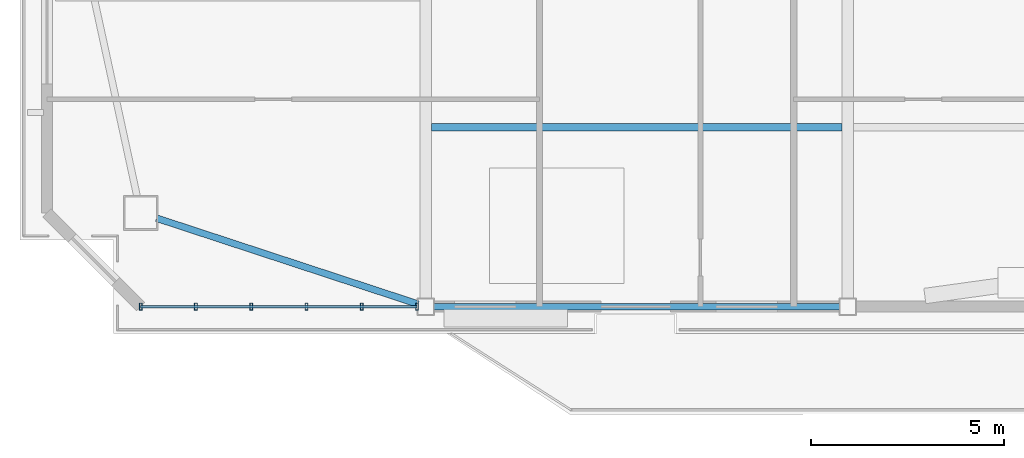
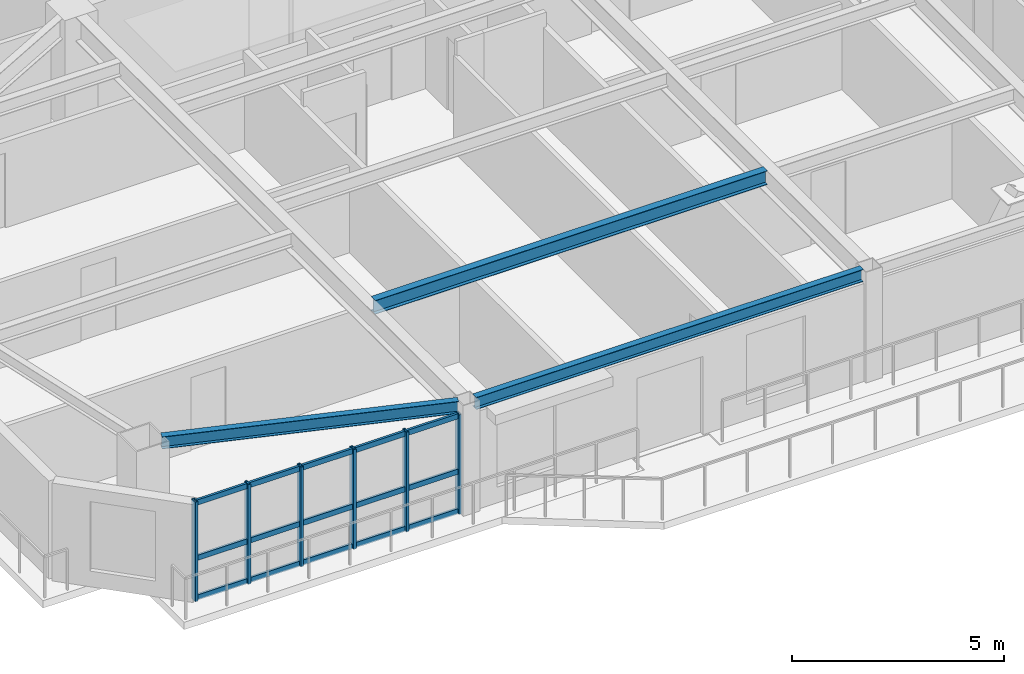
# One storey, part 2 of 15: 9 members, 3 beams, 1 element without a shape of its own.
"""IFC4 building model written with IfcOpenShell, lengths in metres."""

import ifcopenshell
import ifcopenshell.guid

model = None  # the IFC model being written
_history = None  # IfcOwnerHistory: only IFC2X3 demands one
_inside = {}  # id of a spatial element -> (the spatial element, [elements in it])
_under = {}  # id of a project, library or spatial element -> (it, [spatial elements below it])
_declared = {}  # id of a project -> (the project, [libraries it declares])
_typed = {}  # id of a type object -> (the type object, [elements of that type])
_made_of = {}  # id of a material, layer set ... -> (it, [elements and type objects made of it])


def new_model(schema):
    """Start an empty IFC model of exactly this schema.

    Asked for "IFC4X3", IfcOpenShell would pick the latest addendum, in which some entities
    have other attributes; the version numbers below select the first issue.
    IFC2X3 requires an IfcOwnerHistory on every rooted entity: one is made here for all.
    """
    global model, _history
    if schema == "IFC4X3":
        model = ifcopenshell.file(schema_version=(4, 3, 0, 0))
    else:
        model = ifcopenshell.file(schema=schema)
    _inside.clear()
    _under.clear()
    _declared.clear()
    _typed.clear()
    _made_of.clear()
    _history = None
    if model.schema == "IFC2X3":
        org = make("IfcOrganization", Name="unknown")
        user = make(
            "IfcPersonAndOrganization",
            ThePerson=make("IfcPerson", FamilyName="unknown"),
            TheOrganization=org,
        )
        app = make(
            "IfcApplication",
            ApplicationDeveloper=org,
            Version="unknown",
            ApplicationFullName="unknown",
            ApplicationIdentifier="unknown",
        )
        _history = make(
            "IfcOwnerHistory",
            OwningUser=user,
            OwningApplication=app,
            ChangeAction="ADDED",
            CreationDate=0,
        )
    return model


def make(cls, **values):
    """One entity of the class cls with the attributes given. An attribute that is None is left unset."""
    return model.create_entity(
        cls, **{name: value for name, value in values.items() if value is not None}
    )


def rooted(cls, **values):
    """An entity with a GlobalId (a new one), such as an element, a storey or a relation."""
    return make(cls, GlobalId=ifcopenshell.guid.new(), OwnerHistory=_history, **values)


def si_unit(unit_type, name, prefix=None):
    """IfcSIUnit, for example si_unit("LENGTHUNIT", "METRE", prefix="MILLI")."""
    return make("IfcSIUnit", UnitType=unit_type, Prefix=prefix, Name=name)


def assignment(units):
    """IfcUnitAssignment: the units of a project."""
    return None if units is None else make("IfcUnitAssignment", Units=units)


def point(xyz):
    """IfcCartesianPoint."""
    return None if xyz is None else make("IfcCartesianPoint", Coordinates=xyz)


def direction(xyz):
    """IfcDirection."""
    return None if xyz is None else make("IfcDirection", DirectionRatios=xyz)


def frame(location, z_axis=None, x_axis=None):
    """IfcAxis2Placement3D, a coordinate frame: its origin and axes. An axis left out is left unset."""
    return make(
        "IfcAxis2Placement3D",
        Location=point(location),
        Axis=direction(z_axis),
        RefDirection=direction(x_axis),
    )


def frame_2d(location, x_axis=None):
    """IfcAxis2Placement2D, a coordinate frame in the plane: its origin and x axis."""
    return make(
        "IfcAxis2Placement2D", Location=point(location), RefDirection=direction(x_axis)
    )


def origin():
    """The frame at (0, 0, 0) with its axes left unset."""
    return frame((0.0, 0.0, 0.0))


def origin_2d():
    """The frame at (0, 0) in the plane with its x axis left unset."""
    return frame_2d((0.0, 0.0))


def place(relative_to, where):
    """IfcLocalPlacement: puts the frame where relative to a parent placement (None: the world)."""
    return make(
        "IfcLocalPlacement", PlacementRelTo=relative_to, RelativePlacement=where
    )


def context(
    kind, dimensions, precision=None, world=None, true_north=None, identifier=None
):
    """IfcGeometricRepresentationContext, for example the 3D "Model" context."""
    return make(
        "IfcGeometricRepresentationContext",
        ContextIdentifier=identifier,
        ContextType=kind,
        CoordinateSpaceDimension=dimensions,
        Precision=precision,
        WorldCoordinateSystem=world,
        TrueNorth=true_north,
    )


def subcontext(parent, identifier, kind, view, scale=None):
    """IfcGeometricRepresentationSubContext, for example "Body" below "Model"."""
    return make(
        "IfcGeometricRepresentationSubContext",
        ContextIdentifier=identifier,
        ContextType=kind,
        ParentContext=parent,
        TargetScale=scale,
        TargetView=view,
    )


def project(units=None, contexts=None):
    """IfcProject with its units and contexts."""
    return rooted(
        "IfcProject",
        Name="project",
        RepresentationContexts=contexts,
        UnitsInContext=assignment(units),
    )


def spatial(cls, under=None, at=None, **own):
    """A site, building, storey or space (cls), placed at a placement, below another one or the project."""
    s = rooted(cls, ObjectPlacement=at, **own)
    if under is not None:
        _under.setdefault(under.id(), (under, []))[1].append(s)
    return s


def profile(cls, at=None, kind="AREA", **sizes):
    """A parametric profile (cls). Its sizes go by their IFC names, for example OverallWidth=200.0."""
    return make(cls, ProfileType=kind, Position=at, **sizes)


def hollow_rectangle(**sizes):
    """IfcRectangleHollowProfileDef."""
    return profile("IfcRectangleHollowProfileDef", **sizes)


def i_section(**sizes):
    """IfcIShapeProfileDef."""
    return profile("IfcIShapeProfileDef", **sizes)


def extrude(swept, where, along, depth):
    """IfcExtrudedAreaSolid: the profile swept, set in the frame where, extruded along a direction by depth."""
    return make(
        "IfcExtrudedAreaSolid",
        SweptArea=swept,
        Position=where,
        ExtrudedDirection=direction(along),
        Depth=depth,
    )


def shape(context_of_items, identifier, shape_type, items):
    """IfcShapeRepresentation: the items that make up one representation, for example the "Body"."""
    return make(
        "IfcShapeRepresentation",
        ContextOfItems=context_of_items,
        RepresentationIdentifier=identifier,
        RepresentationType=shape_type,
        Items=items,
    )


def source(mapping_origin, context_of_items, identifier, shape_type, items):
    """IfcRepresentationMap: a shape defined once, which mapped items show again and again."""
    return make(
        "IfcRepresentationMap",
        MappingOrigin=mapping_origin,
        MappedRepresentation=shape(context_of_items, identifier, shape_type, items),
    )


def transform(
    local_origin,
    x_axis=None,
    y_axis=None,
    z_axis=None,
    scale=None,
    scale2=None,
    scale3=None,
    uniform=True,
):
    """IfcCartesianTransformationOperator3D, or its non-uniform kind. x_axis, y_axis, z_axis: its Axis1, 2, 3."""
    if uniform:
        return make(
            "IfcCartesianTransformationOperator3D",
            Axis1=direction(x_axis),
            Axis2=direction(y_axis),
            LocalOrigin=point(local_origin),
            Scale=scale,
            Axis3=direction(z_axis),
        )
    return make(
        "IfcCartesianTransformationOperator3DnonUniform",
        Axis1=direction(x_axis),
        Axis2=direction(y_axis),
        LocalOrigin=point(local_origin),
        Scale=scale,
        Axis3=direction(z_axis),
        Scale2=scale2,
        Scale3=scale3,
    )


def mapped(mapping_source, mapping_target):
    """IfcMappedItem: shows the shape of a source again, moved by a transform."""
    return make(
        "IfcMappedItem", MappingSource=mapping_source, MappingTarget=mapping_target
    )


def material(Name=None, Category=None):
    """IfcMaterial."""
    return make("IfcMaterial", Name=Name, Category=Category)


def layer(
    of_material, thickness, ventilated=None, Name=None, Category=None, Priority=None
):
    """IfcMaterialLayer: one layer of a wall or slab, of a material (None: an air gap)."""
    return make(
        "IfcMaterialLayer",
        Material=of_material,
        LayerThickness=thickness,
        IsVentilated=ventilated,
        Name=Name,
        Category=Category,
        Priority=Priority,
    )


def layer_set(layers, Name=None):
    """IfcMaterialLayerSet."""
    return make("IfcMaterialLayerSet", MaterialLayers=layers, LayerSetName=Name)


def material_profile(
    of_material, cross_section, Name=None, Category=None, Priority=None
):
    """IfcMaterialProfile: a cross section and its material."""
    return make(
        "IfcMaterialProfile",
        Name=Name,
        Material=of_material,
        Profile=cross_section,
        Priority=Priority,
        Category=Category,
    )


def profile_set(profiles, Name=None, composite=None):
    """IfcMaterialProfileSet."""
    return make(
        "IfcMaterialProfileSet",
        Name=Name,
        MaterialProfiles=profiles,
        CompositeProfile=composite,
    )


def made_of(thing, what):
    """Note that an element or type object is made of a material, layer set ...; save() writes the relation."""
    if what is not None:
        _made_of.setdefault(what.id(), (what, []))[1].append(thing)
    return thing


def type_object(cls, material=None, **own):
    """A type object (cls), such as IfcWallType, which elements share."""
    return made_of(rooted(cls, **own), material)


def element(
    cls,
    number,
    at=None,
    inside=None,
    cuts=None,
    type_object=None,
    material=None,
    context=None,
    identifier="Body",
    shape_type=None,
    held_by="IfcProductDefinitionShape",
    body=None,
    shapes=None,
    **own,
):
    """One element of the class cls, such as IfcWall. Its Tag is "e" and its number.

    at: its placement. inside: the storey or other place that contains it. cuts: it is an
    opening in that element (IfcRelVoidsElement). A single representation is given by context,
    identifier, shape_type and body (its items); several are given by shapes. held_by: the class
    of the entity that holds the representations. save() writes the other relations.
    """
    e = rooted(cls, Tag="e%d" % number, ObjectPlacement=at, **own)
    if body is not None:
        shapes = [shape(context, identifier, shape_type, body)]
    if shapes is not None:
        e.Representation = make(held_by, Representations=shapes)
    if inside is not None:
        _inside.setdefault(inside.id(), (inside, []))[1].append(e)
    if cuts is not None:
        rooted(
            "IfcRelVoidsElement", RelatingBuildingElement=cuts, RelatedOpeningElement=e
        )
    if type_object is not None:
        _typed.setdefault(type_object.id(), (type_object, []))[1].append(e)
    return made_of(e, material)


def aggregate(whole, parts):
    """IfcRelAggregates: a whole, such as a stair, and the parts it consists of."""
    return rooted("IfcRelAggregates", RelatingObject=whole, RelatedObjects=parts)


def save(model, path):
    """Write the relations noted so far, then the file.

    IfcRelAggregates (storeys below a building ...), IfcRelContainedInSpatialStructure (elements
    in a storey), IfcRelDefinesByType, IfcRelAssociatesMaterial and IfcRelDeclares: one each for
    every whole, place, type object, material and project.
    """
    for whole, parts in _under.values():
        aggregate(whole, parts)
    for where, things in _inside.values():
        rooted(
            "IfcRelContainedInSpatialStructure",
            RelatedElements=things,
            RelatingStructure=where,
        )
    for kind, things in _typed.values():
        rooted("IfcRelDefinesByType", RelatedObjects=things, RelatingType=kind)
    for what, things in _made_of.values():
        rooted("IfcRelAssociatesMaterial", RelatedObjects=things, RelatingMaterial=what)
    for by, libraries in _declared.values():
        rooted("IfcRelDeclares", RelatingContext=by, RelatedDefinitions=libraries)
    model.write(path)


model = new_model("IFC4")

# Units and contexts
model_context = context("Model", 3, precision=1e-05, world=origin(), true_north=direction((0.0, 1.0)))
body_context = subcontext(model_context, "Body", "Model", "MODEL_VIEW")
ifc_project = project(units=[si_unit("LENGTHUNIT", "METRE"), si_unit("AREAUNIT", "SQUARE_METRE"), si_unit("VOLUMEUNIT", "CUBIC_METRE"), si_unit("PLANEANGLEUNIT", "RADIAN"), si_unit("MASSUNIT", "GRAM", prefix="KILO")], contexts=[model_context])

# Site, building, storey
site_placement = place(None, origin())
site = spatial("IfcSite", under=ifc_project, at=site_placement, CompositionType="ELEMENT")
building_placement = place(site_placement, origin())
building = spatial("IfcBuilding", under=site, at=building_placement, Name="Giltprow Tower", CompositionType="ELEMENT")
storey_placement = place(building_placement, frame((0.0, 0.0, 297.199951171875)))
storey = spatial("IfcBuildingStorey", under=building, at=storey_placement, Name="L76", CompositionType="ELEMENT", Elevation=297.199951171875)

# Beams
ifc_material_1 = material(Name="Structural steel Q355B", Category="steel")
ifc_material_profile_1 = material_profile(ifc_material_1, i_section(OverallWidth=0.199951171875, OverallDepth=0.39990234375, WebThickness=0.008056640625, FlangeThickness=0.012939453125, at=origin_2d()), Name="HN 400x200x8x13")
ifc_profile_set_1 = profile_set([ifc_material_profile_1], Name="Structural steel Q355B")
beam_type_1 = type_object("IfcBeamType", Name="BM-JOIST-HN400", PredefinedType="JOIST", material=ifc_profile_set_1)
shared_shape_1 = source(origin(), body_context, "Body", "SweptSolid", [
    extrude(i_section(OverallWidth=0.199951171875, OverallDepth=0.39990234375, WebThickness=0.008056640625, FlangeThickness=0.012939453125, at=origin_2d()), origin(), (0.0, 0.0, 1.0), 10.659912109375),
])
beam_1_placement = place(storey_placement, frame((19.9951171875, 23.492919921875, 2.985107421875), z_axis=(1.0, 0.0, 0.0), x_axis=(0.0, 1.0, 0.0)))
element("IfcBeam", 1, at=beam_1_placement, inside=storey, type_object=beam_type_1, Name="L76 Composite Floor Joist 1-1", PredefinedType="JOIST", context=body_context, shape_type="MappedRepresentation", body=[
    mapped(shared_shape_1, transform((0.0, 0.0, 0.0), x_axis=(1.0, 0.0, 0.0), y_axis=(0.0, 1.0, 0.0), z_axis=(0.0, 0.0, 1.0), scale=1.0)),
])
ifc_material_profile_2 = material_profile(ifc_material_1, i_section(OverallWidth=0.175048828125, OverallDepth=0.35009765625, WebThickness=0.007080078125, FlangeThickness=0.010986328125, at=origin_2d()), Name="HN 350x175x7x11")
ifc_profile_set_2 = profile_set([ifc_material_profile_2], Name="Structural steel Q355B")
beam_type_2 = type_object("IfcBeamType", Name="BM-SPAN-HN350", PredefinedType="SPANDREL", material=ifc_profile_set_2)
shared_shape_2 = source(origin(), body_context, "Body", "SweptSolid", [
    extrude(i_section(OverallWidth=0.175048828125, OverallDepth=0.35009765625, WebThickness=0.007080078125, FlangeThickness=0.010986328125, at=origin_2d()), origin(), (0.0, 0.0, 1.0), 10.530029296875),
])
beam_2_placement = place(storey_placement, frame((20.06005859375, 18.841064453125, 3.010009765625), z_axis=(1.0, 0.0, 0.0), x_axis=(0.0, 1.0, 0.0)))
element("IfcBeam", 2, at=beam_2_placement, inside=storey, type_object=beam_type_2, Name="L76 Perimeter Spandrel Beam S1-S2", PredefinedType="SPANDREL", context=body_context, shape_type="MappedRepresentation", body=[
    mapped(shared_shape_2, transform((0.0, 0.0, 0.0), x_axis=(1.0, 0.0, 0.0), y_axis=(0.0, 1.0, 0.0), z_axis=(0.0, 0.0, 1.0), scale=1.0)),
])
shared_shape_3 = source(origin(), body_context, "Body", "SweptSolid", [
    extrude(i_section(OverallWidth=0.175048828125, OverallDepth=0.35009765625, WebThickness=0.007080078125, FlangeThickness=0.010986328125, at=origin_2d()), origin(), (0.0, 0.0, 1.0), 7.139892578125),
])
beam_3_placement = place(storey_placement, frame((12.867919921875, 21.135986328125, 3.010009765625), z_axis=(0.950018565555, -0.312193409766, 0.0), x_axis=(0.312193409766, 0.950018565555, 0.0)))
element("IfcBeam", 3, at=beam_3_placement, inside=storey, type_object=beam_type_2, Name="L76 Perimeter Spandrel Beam MC_SW-S1", PredefinedType="SPANDREL", context=body_context, shape_type="MappedRepresentation", body=[
    mapped(shared_shape_3, transform((0.0, 0.0, 0.0), x_axis=(1.0, 0.0, 0.0), y_axis=(0.0, 1.0, 0.0), z_axis=(0.0, 0.0, 1.0), scale=1.0)),
])

# Curtain wall, members
ifc_material_2 = material(Name="Anodized bronze", Category="metal")
ifc_layer = layer(ifc_material_2, 0.179931640625, Name="Anodized bronze")
ifc_layer_set = layer_set([ifc_layer], Name="Anodized bronze")
curtain_wall_type = type_object("IfcCurtainWallType", Name="CW-RES-SKY", PredefinedType="NOTDEFINED", material=ifc_layer_set)
curtain_wall_placement = place(storey_placement, origin())
curtain_wall = element("IfcCurtainWall", 4, at=curtain_wall_placement, inside=storey, type_object=curtain_wall_type, Name="L76 South Recessed Curtain Wall 1", PredefinedType="NOTDEFINED")
ifc_material_profile_3 = material_profile(ifc_material_2, hollow_rectangle(XDim=0.074951171875, YDim=0.179931640625, WallThickness=0.008056640625, at=origin_2d()), Name="RHS 180x75x8")
ifc_profile_set_3 = profile_set([ifc_material_profile_3], Name="Anodized bronze")
member_type_1 = type_object("IfcMemberType", Name="CW-MULLION-180x75", PredefinedType="MULLION", material=ifc_profile_set_3)
shared_shape_4 = source(origin(), body_context, "Body", "SweptSolid", [
    extrude(hollow_rectangle(XDim=0.074951171875, YDim=0.179931640625, WallThickness=0.008056640625, at=origin_2d()), origin(), (0.0, 0.0, 1.0), 2.8701171875),
])
member_1_placement = place(storey_placement, frame((12.455078125, 18.841064453125, -0.02001953125), z_axis=(0.0, 0.0, 1.0), x_axis=(1.0, 0.0, 0.0)))
member_1 = element("IfcMember", 5, at=member_1_placement, type_object=member_type_1, Name="L76 South Recessed Curtain Wall 1 Mullion 1", PredefinedType="MULLION", context=body_context, shape_type="MappedRepresentation", body=[
    mapped(shared_shape_4, transform((0.0, 0.0, 0.0), x_axis=(1.0, 0.0, 0.0), y_axis=(0.0, 1.0, 0.0), z_axis=(0.0, 0.0, 1.0), scale=1.0)),
])
member_2_placement = place(storey_placement, frame((13.888916015625, 18.841064453125, -0.02001953125), z_axis=(0.0, 0.0, 1.0), x_axis=(1.0, 0.0, 0.0)))
member_2 = element("IfcMember", 6, at=member_2_placement, type_object=member_type_1, Name="L76 South Recessed Curtain Wall 1 Mullion 2", PredefinedType="MULLION", context=body_context, shape_type="MappedRepresentation", body=[
    mapped(shared_shape_4, transform((0.0, 0.0, 0.0), x_axis=(1.0, 0.0, 0.0), y_axis=(0.0, 1.0, 0.0), z_axis=(0.0, 0.0, 1.0), scale=1.0)),
])
member_3_placement = place(storey_placement, frame((15.322998046875, 18.841064453125, -0.02001953125), z_axis=(0.0, 0.0, 1.0), x_axis=(1.0, 0.0, 0.0)))
member_3 = element("IfcMember", 7, at=member_3_placement, type_object=member_type_1, Name="L76 South Recessed Curtain Wall 1 Mullion 3", PredefinedType="MULLION", context=body_context, shape_type="MappedRepresentation", body=[
    mapped(shared_shape_4, transform((0.0, 0.0, 0.0), x_axis=(1.0, 0.0, 0.0), y_axis=(0.0, 1.0, 0.0), z_axis=(0.0, 0.0, 1.0), scale=1.0)),
])
member_4_placement = place(storey_placement, frame((16.757080078125, 18.841064453125, -0.02001953125), z_axis=(0.0, 0.0, 1.0), x_axis=(1.0, 0.0, 0.0)))
member_4 = element("IfcMember", 8, at=member_4_placement, type_object=member_type_1, Name="L76 South Recessed Curtain Wall 1 Mullion 4", PredefinedType="MULLION", context=body_context, shape_type="MappedRepresentation", body=[
    mapped(shared_shape_4, transform((0.0, 0.0, 0.0), x_axis=(1.0, 0.0, 0.0), y_axis=(0.0, 1.0, 0.0), z_axis=(0.0, 0.0, 1.0), scale=1.0)),
])
member_5_placement = place(storey_placement, frame((18.19091796875, 18.841064453125, -0.02001953125), z_axis=(0.0, 0.0, 1.0), x_axis=(1.0, 0.0, 0.0)))
member_5 = element("IfcMember", 9, at=member_5_placement, type_object=member_type_1, Name="L76 South Recessed Curtain Wall 1 Mullion 5", PredefinedType="MULLION", context=body_context, shape_type="MappedRepresentation", body=[
    mapped(shared_shape_4, transform((0.0, 0.0, 0.0), x_axis=(1.0, 0.0, 0.0), y_axis=(0.0, 1.0, 0.0), z_axis=(0.0, 0.0, 1.0), scale=1.0)),
])
member_6_placement = place(storey_placement, frame((19.625, 18.841064453125, -0.02001953125), z_axis=(0.0, 0.0, 1.0), x_axis=(1.0, 0.0, 0.0)))
member_6 = element("IfcMember", 10, at=member_6_placement, type_object=member_type_1, Name="L76 South Recessed Curtain Wall 1 Mullion 6", PredefinedType="MULLION", context=body_context, shape_type="MappedRepresentation", body=[
    mapped(shared_shape_4, transform((0.0, 0.0, 0.0), x_axis=(1.0, 0.0, 0.0), y_axis=(0.0, 1.0, 0.0), z_axis=(0.0, 0.0, 1.0), scale=1.0)),
])
ifc_material_profile_4 = material_profile(ifc_material_2, hollow_rectangle(XDim=0.06494140625, YDim=0.14990234375, WallThickness=0.006103515625, at=origin_2d()), Name="RHS 150x65x6")
ifc_profile_set_4 = profile_set([ifc_material_profile_4], Name="Anodized bronze")
member_type_2 = type_object("IfcMemberType", Name="CW-TRANSOM-150x65", PredefinedType="USERDEFINED", material=ifc_profile_set_4)
shared_shape_5 = source(origin(), body_context, "Body", "SweptSolid", [
    extrude(hollow_rectangle(XDim=0.06494140625, YDim=0.14990234375, WallThickness=0.006103515625, at=origin_2d()), origin(), (0.0, 0.0, 1.0), 7.169921875),
])
member_7_placement = place(storey_placement, frame((12.455078125, 18.841064453125, 0.0400390625), z_axis=(1.0, 0.0, 0.0), x_axis=(0.0, 1.0, 0.0)))
member_7 = element("IfcMember", 11, at=member_7_placement, type_object=member_type_2, Name="L76 South Recessed Curtain Wall 1 Transom 1", ObjectType="TRANSOM", PredefinedType="USERDEFINED", context=body_context, shape_type="MappedRepresentation", body=[
    mapped(shared_shape_5, transform((0.0, 0.0, 0.0), x_axis=(1.0, 0.0, 0.0), y_axis=(0.0, 1.0, 0.0), z_axis=(0.0, 0.0, 1.0), scale=1.0)),
])
member_8_placement = place(storey_placement, frame((12.455078125, 18.841064453125, 1.18212890625), z_axis=(1.0, 0.0, 0.0), x_axis=(0.0, 1.0, 0.0)))
member_8 = element("IfcMember", 12, at=member_8_placement, type_object=member_type_2, Name="L76 South Recessed Curtain Wall 1 Transom 2", ObjectType="TRANSOM", PredefinedType="USERDEFINED", context=body_context, shape_type="MappedRepresentation", body=[
    mapped(shared_shape_5, transform((0.0, 0.0, 0.0), x_axis=(1.0, 0.0, 0.0), y_axis=(0.0, 1.0, 0.0), z_axis=(0.0, 0.0, 1.0), scale=1.0)),
])
member_9_placement = place(storey_placement, frame((12.455078125, 18.841064453125, 2.775146484375), z_axis=(1.0, 0.0, 0.0), x_axis=(0.0, 1.0, 0.0)))
member_9 = element("IfcMember", 13, at=member_9_placement, type_object=member_type_2, Name="L76 South Recessed Curtain Wall 1 Transom 3", ObjectType="TRANSOM", PredefinedType="USERDEFINED", context=body_context, shape_type="MappedRepresentation", body=[
    mapped(shared_shape_5, transform((0.0, 0.0, 0.0), x_axis=(1.0, 0.0, 0.0), y_axis=(0.0, 1.0, 0.0), z_axis=(0.0, 0.0, 1.0), scale=1.0)),
])
aggregate(curtain_wall, [member_1, member_2, member_3, member_4, member_5, member_6, member_7, member_8, member_9])

save(model, "model.ifc")
